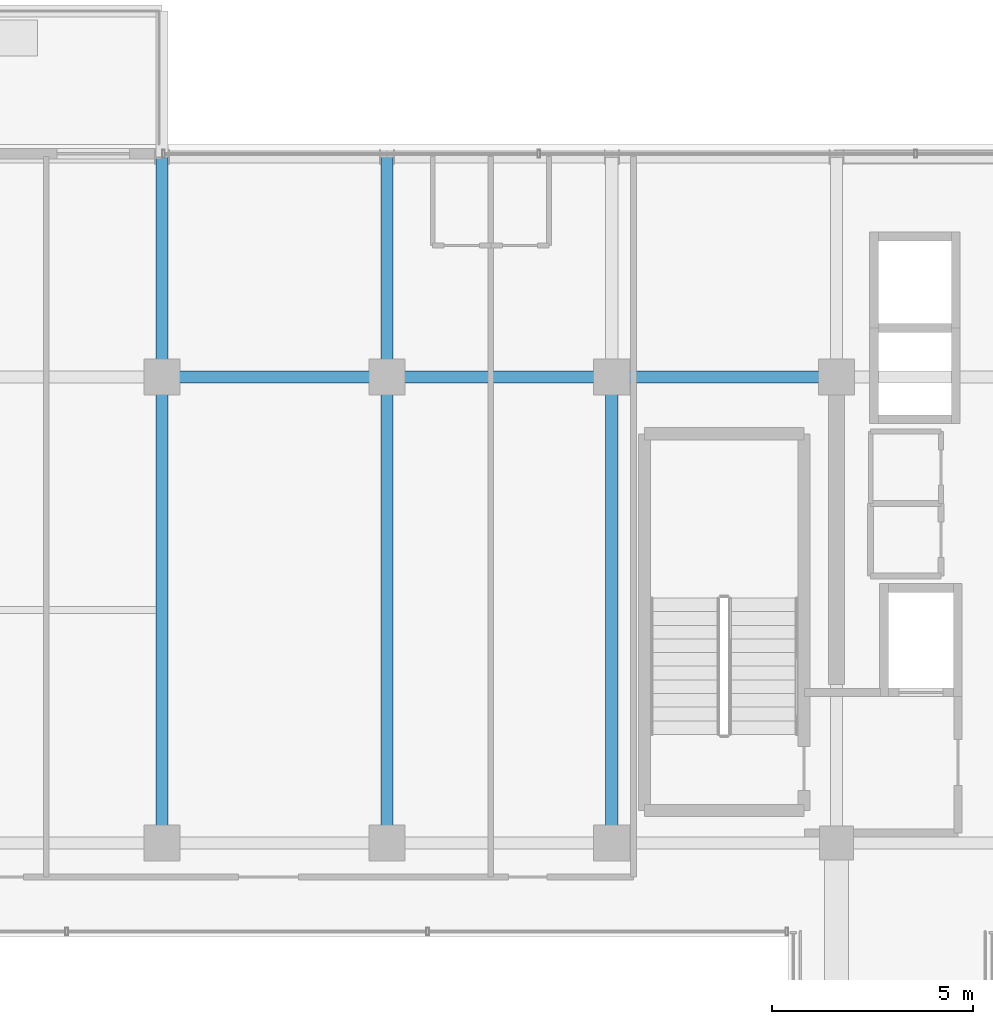
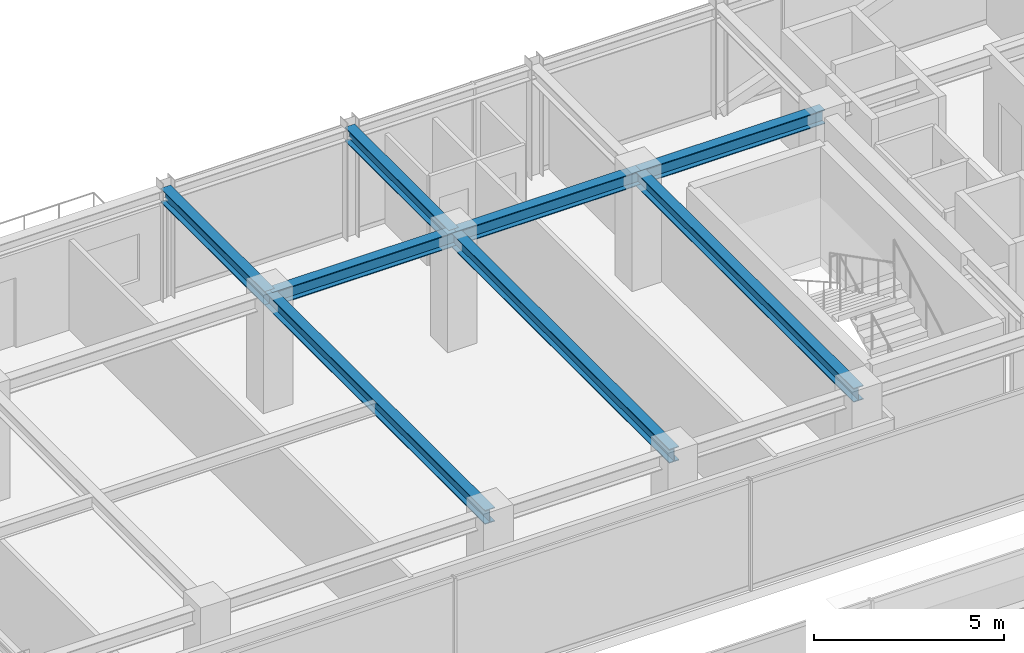
# One storey, part 27 of 40: 8 beams.
"""IFC4 building model written with IfcOpenShell, lengths in metres."""

from ifc_helpers import new_model, si_unit, direction, frame, origin, origin_2d, place, context, subcontext, project, spatial, i_section, extrude, source, transform, mapped, material, material_profile, profile_set, type_object, element, save


model = new_model("IFC4")

# Units and contexts
model_context = context("Model", 3, precision=1e-05, world=origin(), true_north=direction((0.0, 1.0)))
body_context = subcontext(model_context, "Body", "Model", "MODEL_VIEW")
ifc_project = project(units=[si_unit("LENGTHUNIT", "METRE"), si_unit("AREAUNIT", "SQUARE_METRE"), si_unit("VOLUMEUNIT", "CUBIC_METRE"), si_unit("PLANEANGLEUNIT", "RADIAN"), si_unit("MASSUNIT", "GRAM", prefix="KILO")], contexts=[model_context])

# Site, building, storey
site_placement = place(None, origin())
site = spatial("IfcSite", under=ifc_project, at=site_placement, CompositionType="ELEMENT")
building_placement = place(site_placement, origin())
building = spatial("IfcBuilding", under=site, at=building_placement, Name="Nahalor Promenade Grand Hotel", CompositionType="ELEMENT")
storey_placement = place(building_placement, frame((0.0, 0.0, 288.800048828125)))
storey = spatial("IfcBuildingStorey", under=building, at=storey_placement, Name="L74", CompositionType="ELEMENT", Elevation=288.800048828125)

# Beams
ifc_material = material(Name="Steel S355JR", Category="steel")
ifc_material_profile = material_profile(ifc_material, i_section(OverallWidth=0.3, OverallDepth=0.45, WebThickness=0.014, FlangeThickness=0.026, at=origin_2d()), Name="HEB 450")
ifc_profile_set = profile_set([ifc_material_profile], Name="Steel S355JR")
beam_type = type_object("IfcBeamType", Name="Beam-Girder-HEB450", PredefinedType="BEAM", material=ifc_profile_set)
shared_shape_1 = source(origin(), body_context, "Body", "SweptSolid", [
    extrude(i_section(OverallWidth=0.3, OverallDepth=0.45, WebThickness=0.014, FlangeThickness=0.026, at=origin_2d()), origin(), (0.0, 0.0, 1.0), 5.599853515625),
])
for number, where, z_axis, x_axis, name in (
    (1, (-8.39990234375, 17.0, 3.324951171875), (1.0, 0.0, 0.0), (0.0, 1.0, 0.0), "BM-L74-GX-3-2"),
    (2, (2.800048828125, 17.0, 3.324951171875), (1.0, 0.0, 0.0), (0.0, 1.0, 0.0), "BM-L74-GX-3-4"),
):
    element("IfcBeam", number, at=place(storey_placement, frame(where, z_axis=z_axis, x_axis=x_axis)), inside=storey, type_object=beam_type, Name=name, PredefinedType="BEAM", context=body_context, shape_type="MappedRepresentation", body=[
        mapped(shared_shape_1, transform((0.0, 0.0, 0.0), scale=1.0)),
    ])
shared_shape_2 = source(origin(), body_context, "Body", "SweptSolid", [
    extrude(i_section(OverallWidth=0.3, OverallDepth=0.45, WebThickness=0.014, FlangeThickness=0.026, at=origin_2d()), origin(), (0.0, 0.0, 1.0), 5.60009765625),
])
beam_placement = place(storey_placement, frame((-2.800048828125, 17.0, 3.324951171875), z_axis=(1.0, 0.0, 0.0), x_axis=(0.0, 1.0, 0.0)))
element("IfcBeam", 3, at=beam_placement, inside=storey, type_object=beam_type, Name="BM-L74-GX-3-3", PredefinedType="BEAM", context=body_context, shape_type="MappedRepresentation", body=[
    mapped(shared_shape_2, transform((0.0, 0.0, 0.0), scale=1.0)),
])
shared_shape_3 = source(origin(), body_context, "Body", "SweptSolid", [
    extrude(i_section(OverallWidth=0.3, OverallDepth=0.45, WebThickness=0.014, FlangeThickness=0.026, at=origin_2d()), origin(), (0.0, 0.0, 1.0), 11.60009765625),
])
for number, where, z_axis, x_axis, name in (
    (4, (-8.39990234375, 5.39990234375, 3.324951171875), (0.0, 1.0, 0.0), (-1.0, 0.0, 0.0), "BM-L74-GY-1-3"),
    (5, (-2.800048828125, 5.39990234375, 3.324951171875), (0.0, 1.0, 0.0), (-1.0, 0.0, 0.0), "BM-L74-GY-2-3"),
    (6, (2.800048828125, 5.39990234375, 3.324951171875), (0.0, 1.0, 0.0), (-1.0, 0.0, 0.0), "BM-L74-GY-3-3"),
):
    element("IfcBeam", number, at=place(storey_placement, frame(where, z_axis=z_axis, x_axis=x_axis)), inside=storey, type_object=beam_type, Name=name, PredefinedType="BEAM", context=body_context, shape_type="MappedRepresentation", body=[
        mapped(shared_shape_3, transform((0.0, 0.0, 0.0), scale=1.0)),
    ])
shared_shape_4 = source(origin(), body_context, "Body", "SweptSolid", [
    extrude(i_section(OverallWidth=0.3, OverallDepth=0.45, WebThickness=0.014, FlangeThickness=0.026, at=origin_2d()), origin(), (0.0, 0.0, 1.0), 5.47998046875),
])
for number, where, z_axis, x_axis, name in (
    (7, (-8.39990234375, 17.0, 3.324951171875), (0.0, 1.0, 0.0), (-1.0, 0.0, 0.0), "BM-L74-GY-1-4"),
    (8, (-2.800048828125, 17.0, 3.324951171875), (0.0, 1.0, 0.0), (-1.0, 0.0, 0.0), "BM-L74-GY-2-4"),
):
    element("IfcBeam", number, at=place(storey_placement, frame(where, z_axis=z_axis, x_axis=x_axis)), inside=storey, type_object=beam_type, Name=name, PredefinedType="BEAM", context=body_context, shape_type="MappedRepresentation", body=[
        mapped(shared_shape_4, transform((0.0, 0.0, 0.0), scale=1.0)),
    ])

save(model, "model.ifc")
